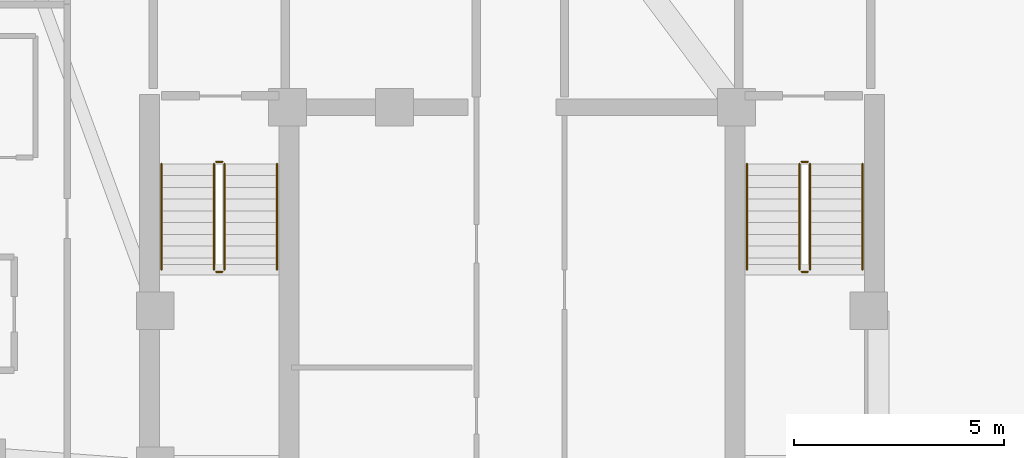
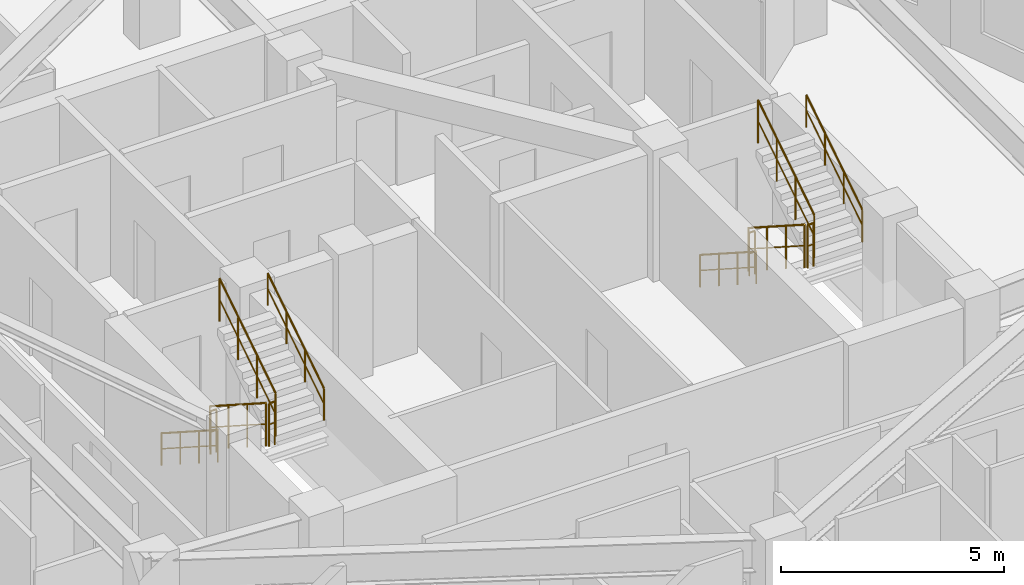
# One storey, part 13 of 13: 12 railings.
"""IFC4 building model written with IfcOpenShell, lengths in metres."""

from ifc_helpers import new_model, si_unit, direction, frame, origin, origin_2d, place, context, subcontext, project, spatial, circle, extrude, material, type_object, element, save


model = new_model("IFC4")

# Units and contexts
model_context = context("Model", 3, precision=1e-05, world=origin(), true_north=direction((0.0, 1.0)))
body_context = subcontext(model_context, "Body", "Model", "MODEL_VIEW")
ifc_project = project(units=[si_unit("LENGTHUNIT", "METRE"), si_unit("AREAUNIT", "SQUARE_METRE"), si_unit("VOLUMEUNIT", "CUBIC_METRE"), si_unit("PLANEANGLEUNIT", "RADIAN"), si_unit("MASSUNIT", "GRAM", prefix="KILO")], contexts=[model_context])

# Site, building, storey
site_placement = place(None, origin())
site = spatial("IfcSite", under=ifc_project, at=site_placement, CompositionType="ELEMENT")
building_placement = place(site_placement, origin())
building = spatial("IfcBuilding", under=site, at=building_placement, Name="Miruveldt Soraemaru", CompositionType="ELEMENT")
storey_placement = place(building_placement, frame((0.0, 0.0, 205.199951171875)))
storey = spatial("IfcBuildingStorey", under=building, at=storey_placement, Name="L56", CompositionType="ELEMENT", Elevation=205.199951171875)

# Railings
ifc_material = material(Name="Steel S355 (355 MPa)", Category="steel")
railing_type_1 = type_object("IfcRailingType", Name="RAIL-HR-900", PredefinedType="HANDRAIL", material=ifc_material)
railing_1_placement = place(storey_placement, frame((35.64990234375, 42.699951171875, 0.179931640625)))
element("IfcRailing", 1, at=railing_1_placement, inside=storey, type_object=railing_type_1, Name="L56 ST-1 stair handrail 1", PredefinedType="HANDRAIL", context=body_context, shape_type="SweptSolid", body=[
    extrude(circle(Radius=0.02392578125, at=origin_2d()), frame((0.0, 0.0, 0.8759765625), z_axis=(0.0, -0.841162588446, 0.540782303519), x_axis=(1.0, 0.0, 0.0)), (0.0, 0.0, 1.0), 2.995849609375),
    extrude(circle(Radius=0.01611328125, at=origin_2d()), frame((0.0, 0.0, 0.449951171875), z_axis=(0.0, -0.841162588446, 0.540782303519), x_axis=(1.0, 0.0, 0.0)), (0.0, 0.0, 1.0), 2.995849609375),
    extrude(circle(Radius=0.02099609375, at=origin_2d()), origin(), (0.0, 0.0, 1.0), 0.851806640625),
    extrude(circle(Radius=0.02099609375, at=origin_2d()), frame((0.0, -0.840087890625, 0.5400390625)), (0.0, 0.0, 1.0), 0.851806640625),
    extrude(circle(Radius=0.02099609375, at=origin_2d()), frame((0.0, -1.679931640625, 1.080078125)), (0.0, 0.0, 1.0), 0.851806640625),
    extrude(circle(Radius=0.02099609375, at=origin_2d()), frame((0.0, -2.52001953125, 1.6201171875)), (0.0, 0.0, 1.0), 0.851806640625),
])
railing_2_placement = place(storey_placement, frame((38.39990234375, 40.179931640625, 1.97998046875)))
element("IfcRailing", 2, at=railing_2_placement, inside=storey, type_object=railing_type_1, Name="L56 ST-1 stair handrail 2", PredefinedType="HANDRAIL", context=body_context, shape_type="SweptSolid", body=[
    extrude(circle(Radius=0.02392578125, at=origin_2d()), frame((0.0, 0.0, 0.8759765625), z_axis=(0.0, 0.841162588446, 0.540782303519), x_axis=(-1.0, 0.0, 0.0)), (0.0, 0.0, 1.0), 2.995849609375),
    extrude(circle(Radius=0.01611328125, at=origin_2d()), frame((0.0, 0.0, 0.449951171875), z_axis=(0.0, 0.841162588446, 0.540782303519), x_axis=(-1.0, 0.0, 0.0)), (0.0, 0.0, 1.0), 2.995849609375),
    extrude(circle(Radius=0.02099609375, at=origin_2d()), origin(), (0.0, 0.0, 1.0), 0.851806640625),
    extrude(circle(Radius=0.02099609375, at=origin_2d()), frame((0.0, 0.840087890625, 0.5400390625)), (0.0, 0.0, 1.0), 0.851806640625),
    extrude(circle(Radius=0.02099609375, at=origin_2d()), frame((0.0, 1.679931640625, 1.080078125)), (0.0, 0.0, 1.0), 0.851806640625),
    extrude(circle(Radius=0.02099609375, at=origin_2d()), frame((0.0, 2.52001953125, 1.6201171875)), (0.0, 0.0, 1.0), 0.851806640625),
])
railing_3_placement = place(storey_placement, frame((49.60009765625, 42.699951171875, 0.179931640625)))
element("IfcRailing", 3, at=railing_3_placement, inside=storey, type_object=railing_type_1, Name="L56 ST-2 stair handrail 1", PredefinedType="HANDRAIL", context=body_context, shape_type="SweptSolid", body=[
    extrude(circle(Radius=0.02392578125, at=origin_2d()), frame((0.0, 0.0, 0.8759765625), z_axis=(0.0, -0.841162588446, 0.540782303519), x_axis=(1.0, 0.0, 0.0)), (0.0, 0.0, 1.0), 2.995849609375),
    extrude(circle(Radius=0.01611328125, at=origin_2d()), frame((0.0, 0.0, 0.449951171875), z_axis=(0.0, -0.841162588446, 0.540782303519), x_axis=(1.0, 0.0, 0.0)), (0.0, 0.0, 1.0), 2.995849609375),
    extrude(circle(Radius=0.02099609375, at=origin_2d()), origin(), (0.0, 0.0, 1.0), 0.851806640625),
    extrude(circle(Radius=0.02099609375, at=origin_2d()), frame((0.0, -0.840087890625, 0.5400390625)), (0.0, 0.0, 1.0), 0.851806640625),
    extrude(circle(Radius=0.02099609375, at=origin_2d()), frame((0.0, -1.679931640625, 1.080078125)), (0.0, 0.0, 1.0), 0.851806640625),
    extrude(circle(Radius=0.02099609375, at=origin_2d()), frame((0.0, -2.52001953125, 1.6201171875)), (0.0, 0.0, 1.0), 0.851806640625),
])
railing_4_placement = place(storey_placement, frame((52.35009765625, 40.179931640625, 1.97998046875)))
element("IfcRailing", 4, at=railing_4_placement, inside=storey, type_object=railing_type_1, Name="L56 ST-2 stair handrail 2", PredefinedType="HANDRAIL", context=body_context, shape_type="SweptSolid", body=[
    extrude(circle(Radius=0.02392578125, at=origin_2d()), frame((0.0, 0.0, 0.8759765625), z_axis=(0.0, 0.841162588446, 0.540782303519), x_axis=(-1.0, 0.0, 0.0)), (0.0, 0.0, 1.0), 2.995849609375),
    extrude(circle(Radius=0.01611328125, at=origin_2d()), frame((0.0, 0.0, 0.449951171875), z_axis=(0.0, 0.841162588446, 0.540782303519), x_axis=(-1.0, 0.0, 0.0)), (0.0, 0.0, 1.0), 2.995849609375),
    extrude(circle(Radius=0.02099609375, at=origin_2d()), origin(), (0.0, 0.0, 1.0), 0.851806640625),
    extrude(circle(Radius=0.02099609375, at=origin_2d()), frame((0.0, 0.840087890625, 0.5400390625)), (0.0, 0.0, 1.0), 0.851806640625),
    extrude(circle(Radius=0.02099609375, at=origin_2d()), frame((0.0, 1.679931640625, 1.080078125)), (0.0, 0.0, 1.0), 0.851806640625),
    extrude(circle(Radius=0.02099609375, at=origin_2d()), frame((0.0, 2.52001953125, 1.6201171875)), (0.0, 0.0, 1.0), 0.851806640625),
])
railing_type_2 = type_object("IfcRailingType", Name="RAIL-STGUARD-1200", PredefinedType="GUARDRAIL", material=ifc_material)
railing_5_placement = place(storey_placement, frame((36.89990234375, 42.699951171875, 0.179931640625)))
element("IfcRailing", 5, at=railing_5_placement, inside=storey, type_object=railing_type_2, Name="L56 ST-1 stair guard 1", PredefinedType="GUARDRAIL", context=body_context, shape_type="SweptSolid", body=[
    extrude(circle(Radius=0.02392578125, at=origin_2d()), frame((0.0, 0.0, 1.17578125), z_axis=(0.0, -0.841162588446, 0.540782303519), x_axis=(1.0, 0.0, 0.0)), (0.0, 0.0, 1.0), 2.995849609375),
    extrude(circle(Radius=0.01611328125, at=origin_2d()), frame((0.0, 0.0, 0.60009765625), z_axis=(0.0, -0.841162588446, 0.540782303519), x_axis=(1.0, 0.0, 0.0)), (0.0, 0.0, 1.0), 2.995849609375),
    extrude(circle(Radius=0.02099609375, at=origin_2d()), origin(), (0.0, 0.0, 1.0), 1.15185546875),
    extrude(circle(Radius=0.02099609375, at=origin_2d()), frame((0.0, -0.840087890625, 0.5400390625)), (0.0, 0.0, 1.0), 1.15185546875),
    extrude(circle(Radius=0.02099609375, at=origin_2d()), frame((0.0, -1.679931640625, 1.080078125)), (0.0, 0.0, 1.0), 1.15185546875),
    extrude(circle(Radius=0.02099609375, at=origin_2d()), frame((0.0, -2.52001953125, 1.6201171875)), (0.0, 0.0, 1.0), 1.15185546875),
])
railing_6_placement = place(storey_placement, frame((36.949951171875, 40.1298828125, 1.800048828125)))
element("IfcRailing", 6, at=railing_6_placement, inside=storey, type_object=railing_type_2, Name="L56 ST-1 stair guard 2", PredefinedType="GUARDRAIL", context=body_context, shape_type="SweptSolid", body=[
    extrude(circle(Radius=0.02392578125, at=origin_2d()), frame((0.0, 0.0, 1.17578125), z_axis=(1.0, 0.0, 0.0), x_axis=(0.0, 1.0, 0.0)), (0.0, 0.0, 1.0), 0.150146484375),
    extrude(circle(Radius=0.01611328125, at=origin_2d()), frame((0.0, 0.0, 0.60009765625), z_axis=(1.0, 0.0, 0.0), x_axis=(0.0, 1.0, 0.0)), (0.0, 0.0, 1.0), 0.150146484375),
    extrude(circle(Radius=0.02099609375, at=origin_2d()), origin(), (0.0, 0.0, 1.0), 1.15185546875),
    extrude(circle(Radius=0.02099609375, at=origin_2d()), frame((0.150146484375, 0.0, 0.0)), (0.0, 0.0, 1.0), 1.15185546875),
])
railing_7_placement = place(storey_placement, frame((37.14990234375, 40.179931640625, 1.97998046875)))
element("IfcRailing", 7, at=railing_7_placement, inside=storey, type_object=railing_type_2, Name="L56 ST-1 stair guard 3", PredefinedType="GUARDRAIL", context=body_context, shape_type="SweptSolid", body=[
    extrude(circle(Radius=0.02392578125, at=origin_2d()), frame((0.0, 0.0, 1.17578125), z_axis=(0.0, 0.841162588446, 0.540782303519), x_axis=(-1.0, 0.0, 0.0)), (0.0, 0.0, 1.0), 2.995849609375),
    extrude(circle(Radius=0.01611328125, at=origin_2d()), frame((0.0, 0.0, 0.60009765625), z_axis=(0.0, 0.841162588446, 0.540782303519), x_axis=(-1.0, 0.0, 0.0)), (0.0, 0.0, 1.0), 2.995849609375),
    extrude(circle(Radius=0.02099609375, at=origin_2d()), origin(), (0.0, 0.0, 1.0), 1.15185546875),
    extrude(circle(Radius=0.02099609375, at=origin_2d()), frame((0.0, 0.840087890625, 0.5400390625)), (0.0, 0.0, 1.0), 1.15185546875),
    extrude(circle(Radius=0.02099609375, at=origin_2d()), frame((0.0, 1.679931640625, 1.080078125)), (0.0, 0.0, 1.0), 1.15185546875),
    extrude(circle(Radius=0.02099609375, at=origin_2d()), frame((0.0, 2.52001953125, 1.6201171875)), (0.0, 0.0, 1.0), 1.15185546875),
])
railing_8_placement = place(storey_placement, frame((36.949951171875, 42.75, 0.0)))
element("IfcRailing", 8, at=railing_8_placement, inside=storey, type_object=railing_type_2, Name="L56 ST-1 stair guard 4", PredefinedType="GUARDRAIL", context=body_context, shape_type="SweptSolid", body=[
    extrude(circle(Radius=0.02392578125, at=origin_2d()), frame((0.0, 0.0, 1.17578125), z_axis=(1.0, 0.0, 0.0), x_axis=(0.0, 1.0, 0.0)), (0.0, 0.0, 1.0), 0.150146484375),
    extrude(circle(Radius=0.01611328125, at=origin_2d()), frame((0.0, 0.0, 0.60009765625), z_axis=(1.0, 0.0, 0.0), x_axis=(0.0, 1.0, 0.0)), (0.0, 0.0, 1.0), 0.150146484375),
    extrude(circle(Radius=0.02099609375, at=origin_2d()), origin(), (0.0, 0.0, 1.0), 1.15185546875),
    extrude(circle(Radius=0.02099609375, at=origin_2d()), frame((0.150146484375, 0.0, 0.0)), (0.0, 0.0, 1.0), 1.15185546875),
])
railing_9_placement = place(storey_placement, frame((50.85009765625, 42.699951171875, 0.179931640625)))
element("IfcRailing", 9, at=railing_9_placement, inside=storey, type_object=railing_type_2, Name="L56 ST-2 stair guard 1", PredefinedType="GUARDRAIL", context=body_context, shape_type="SweptSolid", body=[
    extrude(circle(Radius=0.02392578125, at=origin_2d()), frame((0.0, 0.0, 1.17578125), z_axis=(0.0, -0.841162588446, 0.540782303519), x_axis=(1.0, 0.0, 0.0)), (0.0, 0.0, 1.0), 2.995849609375),
    extrude(circle(Radius=0.01611328125, at=origin_2d()), frame((0.0, 0.0, 0.60009765625), z_axis=(0.0, -0.841162588446, 0.540782303519), x_axis=(1.0, 0.0, 0.0)), (0.0, 0.0, 1.0), 2.995849609375),
    extrude(circle(Radius=0.02099609375, at=origin_2d()), origin(), (0.0, 0.0, 1.0), 1.15185546875),
    extrude(circle(Radius=0.02099609375, at=origin_2d()), frame((0.0, -0.840087890625, 0.5400390625)), (0.0, 0.0, 1.0), 1.15185546875),
    extrude(circle(Radius=0.02099609375, at=origin_2d()), frame((0.0, -1.679931640625, 1.080078125)), (0.0, 0.0, 1.0), 1.15185546875),
    extrude(circle(Radius=0.02099609375, at=origin_2d()), frame((0.0, -2.52001953125, 1.6201171875)), (0.0, 0.0, 1.0), 1.15185546875),
])
railing_10_placement = place(storey_placement, frame((50.89990234375, 40.1298828125, 1.800048828125)))
element("IfcRailing", 10, at=railing_10_placement, inside=storey, type_object=railing_type_2, Name="L56 ST-2 stair guard 2", PredefinedType="GUARDRAIL", context=body_context, shape_type="SweptSolid", body=[
    extrude(circle(Radius=0.02392578125, at=origin_2d()), frame((0.0, 0.0, 1.17578125), z_axis=(1.0, 0.0, 0.0), x_axis=(0.0, 1.0, 0.0)), (0.0, 0.0, 1.0), 0.150146484375),
    extrude(circle(Radius=0.01611328125, at=origin_2d()), frame((0.0, 0.0, 0.60009765625), z_axis=(1.0, 0.0, 0.0), x_axis=(0.0, 1.0, 0.0)), (0.0, 0.0, 1.0), 0.150146484375),
    extrude(circle(Radius=0.02099609375, at=origin_2d()), origin(), (0.0, 0.0, 1.0), 1.15185546875),
    extrude(circle(Radius=0.02099609375, at=origin_2d()), frame((0.150146484375, 0.0, 0.0)), (0.0, 0.0, 1.0), 1.15185546875),
])
railing_11_placement = place(storey_placement, frame((51.10009765625, 40.179931640625, 1.97998046875)))
element("IfcRailing", 11, at=railing_11_placement, inside=storey, type_object=railing_type_2, Name="L56 ST-2 stair guard 3", PredefinedType="GUARDRAIL", context=body_context, shape_type="SweptSolid", body=[
    extrude(circle(Radius=0.02392578125, at=origin_2d()), frame((0.0, 0.0, 1.17578125), z_axis=(0.0, 0.841162588446, 0.540782303519), x_axis=(-1.0, 0.0, 0.0)), (0.0, 0.0, 1.0), 2.995849609375),
    extrude(circle(Radius=0.01611328125, at=origin_2d()), frame((0.0, 0.0, 0.60009765625), z_axis=(0.0, 0.841162588446, 0.540782303519), x_axis=(-1.0, 0.0, 0.0)), (0.0, 0.0, 1.0), 2.995849609375),
    extrude(circle(Radius=0.02099609375, at=origin_2d()), origin(), (0.0, 0.0, 1.0), 1.15185546875),
    extrude(circle(Radius=0.02099609375, at=origin_2d()), frame((0.0, 0.840087890625, 0.5400390625)), (0.0, 0.0, 1.0), 1.15185546875),
    extrude(circle(Radius=0.02099609375, at=origin_2d()), frame((0.0, 1.679931640625, 1.080078125)), (0.0, 0.0, 1.0), 1.15185546875),
    extrude(circle(Radius=0.02099609375, at=origin_2d()), frame((0.0, 2.52001953125, 1.6201171875)), (0.0, 0.0, 1.0), 1.15185546875),
])
railing_12_placement = place(storey_placement, frame((50.89990234375, 42.75, 0.0)))
element("IfcRailing", 12, at=railing_12_placement, inside=storey, type_object=railing_type_2, Name="L56 ST-2 stair guard 4", PredefinedType="GUARDRAIL", context=body_context, shape_type="SweptSolid", body=[
    extrude(circle(Radius=0.02392578125, at=origin_2d()), frame((0.0, 0.0, 1.17578125), z_axis=(1.0, 0.0, 0.0), x_axis=(0.0, 1.0, 0.0)), (0.0, 0.0, 1.0), 0.150146484375),
    extrude(circle(Radius=0.01611328125, at=origin_2d()), frame((0.0, 0.0, 0.60009765625), z_axis=(1.0, 0.0, 0.0), x_axis=(0.0, 1.0, 0.0)), (0.0, 0.0, 1.0), 0.150146484375),
    extrude(circle(Radius=0.02099609375, at=origin_2d()), origin(), (0.0, 0.0, 1.0), 1.15185546875),
    extrude(circle(Radius=0.02099609375, at=origin_2d()), frame((0.150146484375, 0.0, 0.0)), (0.0, 0.0, 1.0), 1.15185546875),
])

save(model, "model.ifc")
